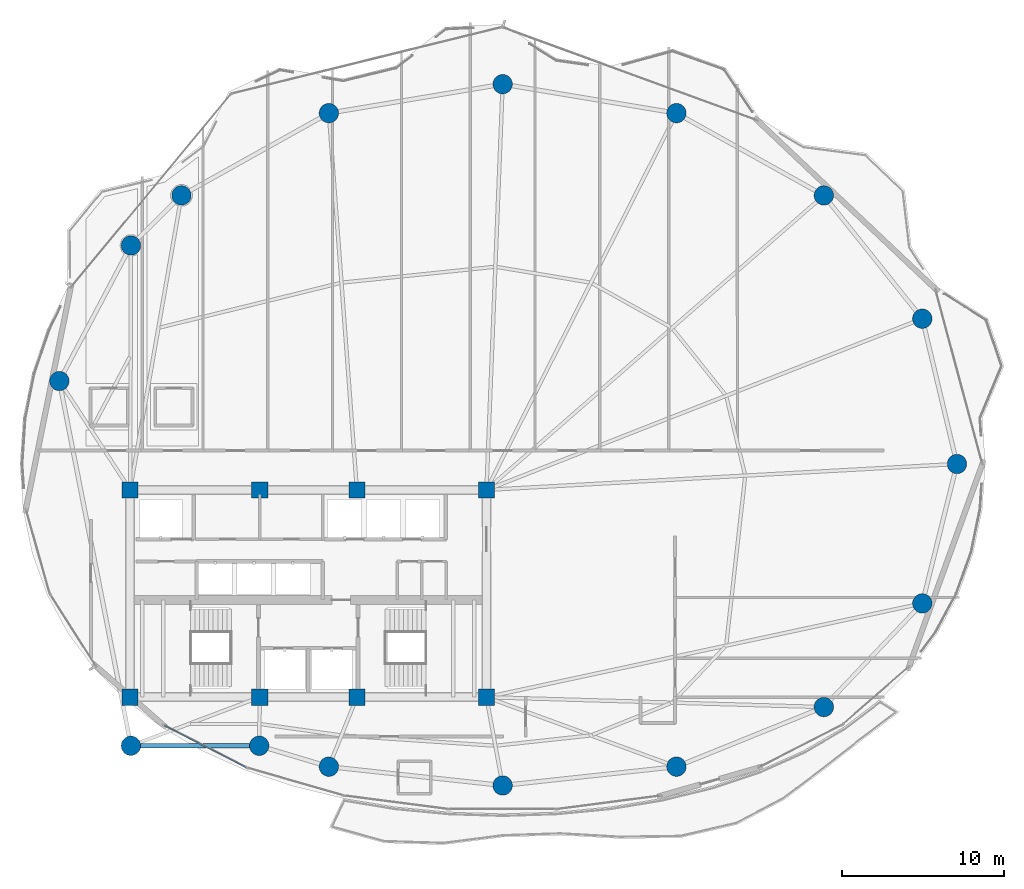
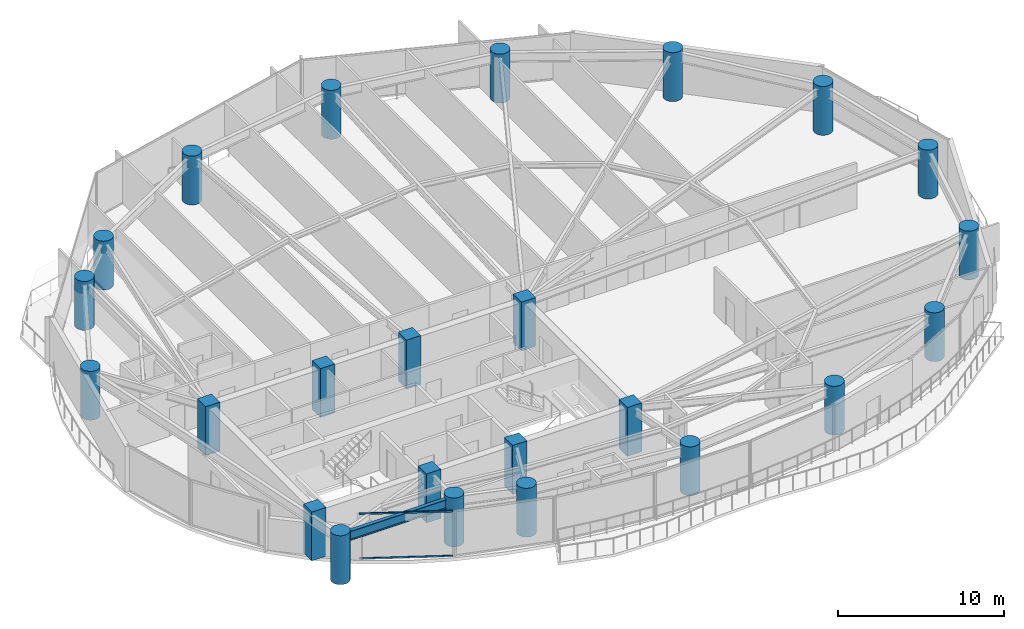
# One storey, part 1 of 28: 24 columns, 2 members, 1 beam, 1 element without a shape of its own.
"""IFC4 building model written with IfcOpenShell, lengths in metres."""

from ifc_helpers import new_model, si_unit, direction, frame, origin, origin_2d, place, context, subcontext, project, spatial, rectangle, hollow_rectangle, circle, i_section, extrude, material, layer, layer_set, material_profile, profile_set, type_object, element, aggregate, save


model = new_model("IFC4")

# Units and contexts
model_context = context("Model", 3, precision=1e-05, world=origin(), true_north=direction((0.0, 1.0)))
body_context = subcontext(model_context, "Body", "Model", "MODEL_VIEW")
ifc_project = project(units=[si_unit("LENGTHUNIT", "METRE"), si_unit("AREAUNIT", "SQUARE_METRE"), si_unit("VOLUMEUNIT", "CUBIC_METRE"), si_unit("PLANEANGLEUNIT", "RADIAN"), si_unit("MASSUNIT", "GRAM", prefix="KILO")], contexts=[model_context])

# Site, building, storey
site_placement = place(None, origin())
site = spatial("IfcSite", under=ifc_project, at=site_placement, CompositionType="ELEMENT")
building_placement = place(site_placement, origin())
building = spatial("IfcBuilding", under=site, at=building_placement, Name="Kazevale Care Tower and Concert Hall", CompositionType="ELEMENT")
storey_placement = place(building_placement, frame((0.0, 0.0, 138.60009765625)))
storey = spatial("IfcBuildingStorey", under=building, at=storey_placement, Name="L36", CompositionType="ELEMENT", Elevation=138.60009765625)

# Columns
ifc_material_1 = material(Name="Concrete C60", Category="concrete")
ifc_material_profile_1 = material_profile(ifc_material_1, rectangle(XDim=1.0, YDim=1.0, at=origin_2d()), Name="RC-SQ1000")
ifc_profile_set_1 = profile_set([ifc_material_profile_1], Name="Concrete C60")
column_type_1 = type_object("IfcColumnType", Name="Core Column SQ1000 C60", PredefinedType="COLUMN", material=ifc_profile_set_1)
for number, where, z_axis, x_axis, name in (
    (1, (22.0, 23.60009765625, 0.0), (0.0, 0.0, 1.0), (1.0, 0.0, 0.0), "col:L36:CC-01"),
    (2, (30.0, 23.60009765625, 0.0), (0.0, 0.0, 1.0), (1.0, 0.0, 0.0), "col:L36:CC-02"),
    (3, (36.0, 23.60009765625, 0.0), (0.0, 0.0, 1.0), (1.0, 0.0, 0.0), "col:L36:CC-03"),
    (4, (44.0, 23.60009765625, 0.0), (0.0, 0.0, 1.0), (1.0, 0.0, 0.0), "col:L36:CC-04"),
    (5, (44.0, 36.39990234375, 0.0), (0.0, 0.0, 1.0), (1.0, 0.0, 0.0), "col:L36:CC-05"),
    (6, (36.0, 36.39990234375, 0.0), (0.0, 0.0, 1.0), (1.0, 0.0, 0.0), "col:L36:CC-06"),
    (7, (30.0, 36.39990234375, 0.0), (0.0, 0.0, 1.0), (1.0, 0.0, 0.0), "col:L36:CC-07"),
    (8, (22.0, 36.39990234375, 0.0), (0.0, 0.0, 1.0), (1.0, 0.0, 0.0), "col:L36:CC-08"),
):
    element("IfcColumn", number, at=place(storey_placement, frame(where, z_axis=z_axis, x_axis=x_axis)), inside=storey, type_object=column_type_1, Name=name, PredefinedType="COLUMN", context=body_context, shape_type="SweptSolid", body=[
        extrude(rectangle(XDim=1.0, YDim=1.0, at=origin_2d()), origin(), (0.0, 0.0, 1.0), 3.599853515625),
    ])
ifc_material_profile_2 = material_profile(ifc_material_1, circle(Radius=0.60009765625, at=origin_2d()), Name="RC-CIR1200")
ifc_profile_set_2 = profile_set([ifc_material_profile_2], Name="Concrete C60")
column_type_2 = type_object("IfcColumnType", Name="Perimeter Column CIR1200 C60", PredefinedType="COLUMN", material=ifc_profile_set_2)
for number, where, z_axis, x_axis, name in (
    (9, (73.050048828125, 38.0, 0.0), (0.0, 0.0, 1.0), (1.0, 0.0, 0.0), "col:L36:PC-01"),
    (10, (70.909912109375, 46.969970703125, 0.0), (0.0, 0.0, 1.0), (1.0, 0.0, 0.0), "col:L36:PC-02"),
    (11, (64.830078125, 54.580078125, 0.0), (0.0, 0.0, 1.0), (1.0, 0.0, 0.0), "col:L36:PC-03"),
    (12, (55.72998046875, 59.659912109375, 0.0), (0.0, 0.0, 1.0), (1.0, 0.0, 0.0), "col:L36:PC-04"),
    (13, (45.0, 61.449951171875, 0.0), (0.0, 0.0, 1.0), (1.0, 0.0, 0.0), "col:L36:PC-05"),
    (14, (34.27001953125, 59.659912109375, 0.0), (0.0, 0.0, 1.0), (1.0, 0.0, 0.0), "col:L36:PC-06"),
    (15, (25.169921875, 54.580078125, 0.0), (0.0, 0.0, 1.0), (1.0, 0.0, 0.0), "col:L36:PC-07"),
    (16, (22.050048828125, 51.489990234375, 0.0), (0.0, 0.0, 1.0), (1.0, 0.0, 0.0), "col:L36:PC-08"),
    (17, (17.6298828125, 43.1201171875, 0.0), (0.0, 0.0, 1.0), (1.0, 0.0, 0.0), "col:L36:PC-09"),
    (18, (22.050048828125, 20.60009765625, 0.0), (0.0, 0.0, 1.0), (1.0, 0.0, 0.0), "col:L36:PC-10"),
    (19, (29.969970703125, 20.60009765625, 0.0), (0.0, 0.0, 1.0), (1.0, 0.0, 0.0), "col:L36:PC-11"),
    (20, (34.27001953125, 19.31005859375, 0.0), (0.0, 0.0, 1.0), (1.0, 0.0, 0.0), "col:L36:PC-12"),
    (21, (45.0, 18.14990234375, 0.0), (0.0, 0.0, 1.0), (1.0, 0.0, 0.0), "col:L36:PC-13"),
    (22, (55.72998046875, 19.31005859375, 0.0), (0.0, 0.0, 1.0), (1.0, 0.0, 0.0), "col:L36:PC-14"),
    (23, (64.830078125, 22.989990234375, 0.0), (0.0, 0.0, 1.0), (1.0, 0.0, 0.0), "col:L36:PC-15"),
    (24, (70.909912109375, 29.389892578125, 0.0), (0.0, 0.0, 1.0), (1.0, 0.0, 0.0), "col:L36:PC-16"),
):
    element("IfcColumn", number, at=place(storey_placement, frame(where, z_axis=z_axis, x_axis=x_axis)), inside=storey, type_object=column_type_2, Name=name, PredefinedType="COLUMN", context=body_context, shape_type="SweptSolid", body=[
        extrude(circle(Radius=0.60009765625, at=origin_2d()), origin(), (0.0, 0.0, 1.0), 3.599853515625),
    ])

# Curtain wall, members
ifc_material_2 = material(Name="Aluminium 6063-T6 and Low-E Glass", Category="aluminium")
ifc_layer = layer(ifc_material_2, 0.179931640625)
ifc_layer_set = layer_set([ifc_layer], Name="Aluminium 6063-T6 and Low-E Glass")
curtain_wall_type = type_object("IfcCurtainWallType", Name="Sheltered Concave Balcony Curtain Wall CW-5", PredefinedType="NOTDEFINED", material=ifc_layer_set)
curtain_wall_placement = place(storey_placement, origin())
curtain_wall = element("IfcCurtainWall", 25, at=curtain_wall_placement, inside=storey, type_object=curtain_wall_type, Name="cw:L36:f09", PredefinedType="NOTDEFINED")
ifc_material_3 = material(Name="Aluminium 6063-T6", Category="aluminium")
ifc_material_profile_3 = material_profile(ifc_material_3, hollow_rectangle(XDim=0.074951171875, YDim=0.1201171875, WallThickness=0.00390625, at=origin_2d()), Name="ALU75x120x4")
ifc_profile_set_3 = profile_set([ifc_material_profile_3], Name="Aluminium 6063-T6")
member_type = type_object("IfcMemberType", Name="CW-5 Transom ALU75x120x4", PredefinedType="USERDEFINED", material=ifc_profile_set_3)
member_1_placement = place(storey_placement, frame((29.144287109375, 19.279296875, 0.037353515625), z_axis=(-0.890142600475, 0.455682072084, 0.0), x_axis=(-0.455682072084, -0.890142600475, 0.0)))
member_1 = element("IfcMember", 26, at=member_1_placement, type_object=member_type, Name="CW-5 transom 1.1", ObjectType="TRANSOM", PredefinedType="USERDEFINED", context=body_context, shape_type="SweptSolid", body=[
    extrude(hollow_rectangle(XDim=0.074951171875, YDim=0.1201171875, WallThickness=0.00390625, at=origin_2d()), origin(), (0.0, 0.0, 1.0), 5.671630859375),
])
member_2_placement = place(storey_placement, frame((29.144287109375, 19.279296875, 3.322509765625), z_axis=(-0.890142600475, 0.455682072084, 0.0), x_axis=(-0.455682072084, -0.890142600475, 0.0)))
member_2 = element("IfcMember", 27, at=member_2_placement, type_object=member_type, Name="CW-5 transom 1.2", ObjectType="TRANSOM", PredefinedType="USERDEFINED", context=body_context, shape_type="SweptSolid", body=[
    extrude(hollow_rectangle(XDim=0.074951171875, YDim=0.1201171875, WallThickness=0.00390625, at=origin_2d()), origin(), (0.0, 0.0, 1.0), 5.671630859375),
])
aggregate(curtain_wall, [member_1, member_2])

# Beam
ifc_material_4 = material(Name="Steel ASTM A572 Gr 50", Category="steel")
ifc_material_profile_4 = material_profile(ifc_material_4, i_section(OverallWidth=0.256103515625, OverallDepth=0.693115234375, WebThickness=0.014404296875, FlangeThickness=0.023681640625, at=origin_2d()), Name="W690x170")
ifc_profile_set_4 = profile_set([ifc_material_profile_4], Name="Steel ASTM A572 Gr 50")
beam_type = type_object("IfcBeamType", Name="Waist Ring Beam W690x170", PredefinedType="BEAM", material=ifc_profile_set_4)
beam_placement = place(storey_placement, frame((22.050048828125, 20.60009765625, 3.013427734375), z_axis=(1.0, 0.0, 0.0), x_axis=(0.0, 1.0, 0.0)))
element("IfcBeam", 28, at=beam_placement, inside=storey, type_object=beam_type, Name="beam:L36:ring:10", PredefinedType="BEAM", context=body_context, shape_type="SweptSolid", body=[
    extrude(i_section(OverallWidth=0.256103515625, OverallDepth=0.693115234375, WebThickness=0.014404296875, FlangeThickness=0.023681640625, at=origin_2d()), origin(), (0.0, 0.0, 1.0), 7.919921875),
])

save(model, "model.ifc")
